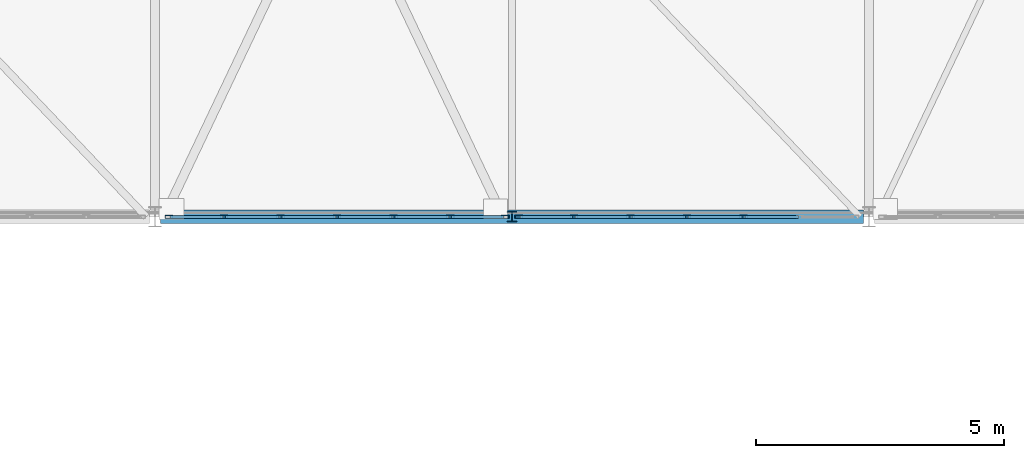
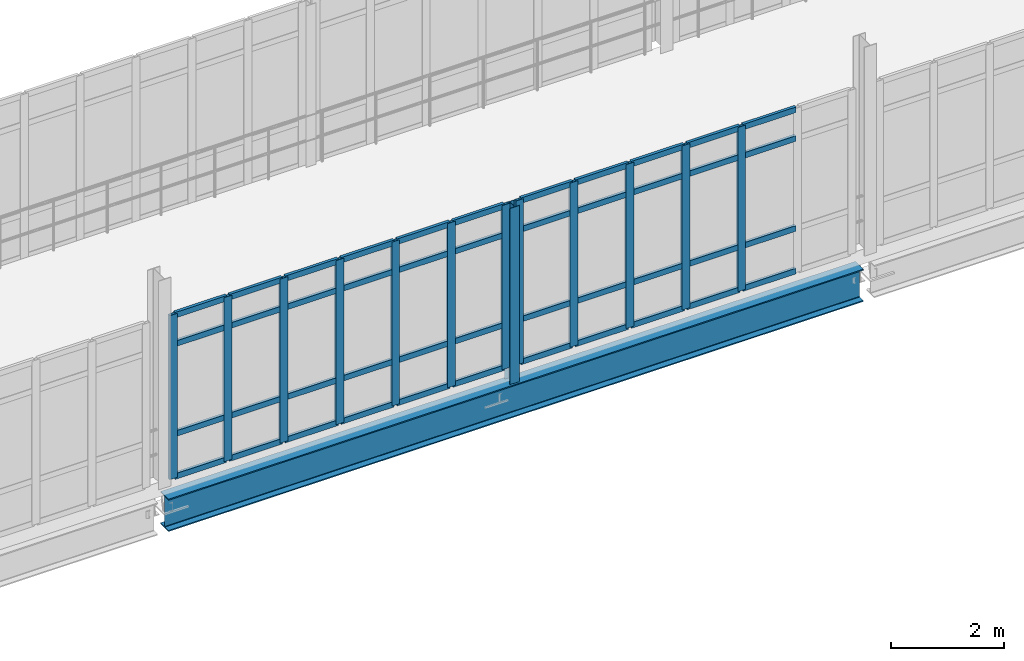
# One storey, part 22 of 116: 57 members, 1 beam, 2 elements without a shape of their own.
"""IFC4 building model written with IfcOpenShell, lengths in metres."""

import ifcopenshell
import ifcopenshell.guid

model = None  # the IFC model being written
_history = None  # IfcOwnerHistory: only IFC2X3 demands one
_inside = {}  # id of a spatial element -> (the spatial element, [elements in it])
_under = {}  # id of a project, library or spatial element -> (it, [spatial elements below it])
_declared = {}  # id of a project -> (the project, [libraries it declares])
_typed = {}  # id of a type object -> (the type object, [elements of that type])
_made_of = {}  # id of a material, layer set ... -> (it, [elements and type objects made of it])


def new_model(schema):
    """Start an empty IFC model of exactly this schema.

    Asked for "IFC4X3", IfcOpenShell would pick the latest addendum, in which some entities
    have other attributes; the version numbers below select the first issue.
    IFC2X3 requires an IfcOwnerHistory on every rooted entity: one is made here for all.
    """
    global model, _history
    if schema == "IFC4X3":
        model = ifcopenshell.file(schema_version=(4, 3, 0, 0))
    else:
        model = ifcopenshell.file(schema=schema)
    _inside.clear()
    _under.clear()
    _declared.clear()
    _typed.clear()
    _made_of.clear()
    _history = None
    if model.schema == "IFC2X3":
        org = make("IfcOrganization", Name="unknown")
        user = make(
            "IfcPersonAndOrganization",
            ThePerson=make("IfcPerson", FamilyName="unknown"),
            TheOrganization=org,
        )
        app = make(
            "IfcApplication",
            ApplicationDeveloper=org,
            Version="unknown",
            ApplicationFullName="unknown",
            ApplicationIdentifier="unknown",
        )
        _history = make(
            "IfcOwnerHistory",
            OwningUser=user,
            OwningApplication=app,
            ChangeAction="ADDED",
            CreationDate=0,
        )
    return model


def make(cls, **values):
    """One entity of the class cls with the attributes given. An attribute that is None is left unset."""
    return model.create_entity(
        cls, **{name: value for name, value in values.items() if value is not None}
    )


def rooted(cls, **values):
    """An entity with a GlobalId (a new one), such as an element, a storey or a relation."""
    return make(cls, GlobalId=ifcopenshell.guid.new(), OwnerHistory=_history, **values)


def si_unit(unit_type, name, prefix=None):
    """IfcSIUnit, for example si_unit("LENGTHUNIT", "METRE", prefix="MILLI")."""
    return make("IfcSIUnit", UnitType=unit_type, Prefix=prefix, Name=name)


def assignment(units):
    """IfcUnitAssignment: the units of a project."""
    return None if units is None else make("IfcUnitAssignment", Units=units)


def point(xyz):
    """IfcCartesianPoint."""
    return None if xyz is None else make("IfcCartesianPoint", Coordinates=xyz)


def direction(xyz):
    """IfcDirection."""
    return None if xyz is None else make("IfcDirection", DirectionRatios=xyz)


def frame(location, z_axis=None, x_axis=None):
    """IfcAxis2Placement3D, a coordinate frame: its origin and axes. An axis left out is left unset."""
    return make(
        "IfcAxis2Placement3D",
        Location=point(location),
        Axis=direction(z_axis),
        RefDirection=direction(x_axis),
    )


def frame_2d(location, x_axis=None):
    """IfcAxis2Placement2D, a coordinate frame in the plane: its origin and x axis."""
    return make(
        "IfcAxis2Placement2D", Location=point(location), RefDirection=direction(x_axis)
    )


def origin():
    """The frame at (0, 0, 0) with its axes left unset."""
    return frame((0.0, 0.0, 0.0))


def origin_2d():
    """The frame at (0, 0) in the plane with its x axis left unset."""
    return frame_2d((0.0, 0.0))


def place(relative_to, where):
    """IfcLocalPlacement: puts the frame where relative to a parent placement (None: the world)."""
    return make(
        "IfcLocalPlacement", PlacementRelTo=relative_to, RelativePlacement=where
    )


def context(
    kind, dimensions, precision=None, world=None, true_north=None, identifier=None
):
    """IfcGeometricRepresentationContext, for example the 3D "Model" context."""
    return make(
        "IfcGeometricRepresentationContext",
        ContextIdentifier=identifier,
        ContextType=kind,
        CoordinateSpaceDimension=dimensions,
        Precision=precision,
        WorldCoordinateSystem=world,
        TrueNorth=true_north,
    )


def subcontext(parent, identifier, kind, view, scale=None):
    """IfcGeometricRepresentationSubContext, for example "Body" below "Model"."""
    return make(
        "IfcGeometricRepresentationSubContext",
        ContextIdentifier=identifier,
        ContextType=kind,
        ParentContext=parent,
        TargetScale=scale,
        TargetView=view,
    )


def project(units=None, contexts=None):
    """IfcProject with its units and contexts."""
    return rooted(
        "IfcProject",
        Name="project",
        RepresentationContexts=contexts,
        UnitsInContext=assignment(units),
    )


def spatial(cls, under=None, at=None, **own):
    """A site, building, storey or space (cls), placed at a placement, below another one or the project."""
    s = rooted(cls, ObjectPlacement=at, **own)
    if under is not None:
        _under.setdefault(under.id(), (under, []))[1].append(s)
    return s


def profile(cls, at=None, kind="AREA", **sizes):
    """A parametric profile (cls). Its sizes go by their IFC names, for example OverallWidth=200.0."""
    return make(cls, ProfileType=kind, Position=at, **sizes)


def hollow_rectangle(**sizes):
    """IfcRectangleHollowProfileDef."""
    return profile("IfcRectangleHollowProfileDef", **sizes)


def i_section(**sizes):
    """IfcIShapeProfileDef."""
    return profile("IfcIShapeProfileDef", **sizes)


def extrude(swept, where, along, depth):
    """IfcExtrudedAreaSolid: the profile swept, set in the frame where, extruded along a direction by depth."""
    return make(
        "IfcExtrudedAreaSolid",
        SweptArea=swept,
        Position=where,
        ExtrudedDirection=direction(along),
        Depth=depth,
    )


def shape(context_of_items, identifier, shape_type, items):
    """IfcShapeRepresentation: the items that make up one representation, for example the "Body"."""
    return make(
        "IfcShapeRepresentation",
        ContextOfItems=context_of_items,
        RepresentationIdentifier=identifier,
        RepresentationType=shape_type,
        Items=items,
    )


def material(Name=None, Category=None):
    """IfcMaterial."""
    return make("IfcMaterial", Name=Name, Category=Category)


def material_profile(
    of_material, cross_section, Name=None, Category=None, Priority=None
):
    """IfcMaterialProfile: a cross section and its material."""
    return make(
        "IfcMaterialProfile",
        Name=Name,
        Material=of_material,
        Profile=cross_section,
        Priority=Priority,
        Category=Category,
    )


def profile_set(profiles, Name=None, composite=None):
    """IfcMaterialProfileSet."""
    return make(
        "IfcMaterialProfileSet",
        Name=Name,
        MaterialProfiles=profiles,
        CompositeProfile=composite,
    )


def made_of(thing, what):
    """Note that an element or type object is made of a material, layer set ...; save() writes the relation."""
    if what is not None:
        _made_of.setdefault(what.id(), (what, []))[1].append(thing)
    return thing


def type_object(cls, material=None, **own):
    """A type object (cls), such as IfcWallType, which elements share."""
    return made_of(rooted(cls, **own), material)


def element(
    cls,
    number,
    at=None,
    inside=None,
    cuts=None,
    type_object=None,
    material=None,
    context=None,
    identifier="Body",
    shape_type=None,
    held_by="IfcProductDefinitionShape",
    body=None,
    shapes=None,
    **own,
):
    """One element of the class cls, such as IfcWall. Its Tag is "e" and its number.

    at: its placement. inside: the storey or other place that contains it. cuts: it is an
    opening in that element (IfcRelVoidsElement). A single representation is given by context,
    identifier, shape_type and body (its items); several are given by shapes. held_by: the class
    of the entity that holds the representations. save() writes the other relations.
    """
    e = rooted(cls, Tag="e%d" % number, ObjectPlacement=at, **own)
    if body is not None:
        shapes = [shape(context, identifier, shape_type, body)]
    if shapes is not None:
        e.Representation = make(held_by, Representations=shapes)
    if inside is not None:
        _inside.setdefault(inside.id(), (inside, []))[1].append(e)
    if cuts is not None:
        rooted(
            "IfcRelVoidsElement", RelatingBuildingElement=cuts, RelatedOpeningElement=e
        )
    if type_object is not None:
        _typed.setdefault(type_object.id(), (type_object, []))[1].append(e)
    return made_of(e, material)


def aggregate(whole, parts):
    """IfcRelAggregates: a whole, such as a stair, and the parts it consists of."""
    return rooted("IfcRelAggregates", RelatingObject=whole, RelatedObjects=parts)


def save(model, path):
    """Write the relations noted so far, then the file.

    IfcRelAggregates (storeys below a building ...), IfcRelContainedInSpatialStructure (elements
    in a storey), IfcRelDefinesByType, IfcRelAssociatesMaterial and IfcRelDeclares: one each for
    every whole, place, type object, material and project.
    """
    for whole, parts in _under.values():
        aggregate(whole, parts)
    for where, things in _inside.values():
        rooted(
            "IfcRelContainedInSpatialStructure",
            RelatedElements=things,
            RelatingStructure=where,
        )
    for kind, things in _typed.values():
        rooted("IfcRelDefinesByType", RelatedObjects=things, RelatingType=kind)
    for what, things in _made_of.values():
        rooted("IfcRelAssociatesMaterial", RelatedObjects=things, RelatingMaterial=what)
    for by, libraries in _declared.values():
        rooted("IfcRelDeclares", RelatingContext=by, RelatedDefinitions=libraries)
    model.write(path)


model = new_model("IFC4")

# Units and contexts
model_context = context("Model", 3, precision=1e-05, world=origin(), true_north=direction((0.0, 1.0)))
body_context = subcontext(model_context, "Body", "Model", "MODEL_VIEW")
ifc_project = project(units=[si_unit("LENGTHUNIT", "METRE"), si_unit("AREAUNIT", "SQUARE_METRE"), si_unit("VOLUMEUNIT", "CUBIC_METRE"), si_unit("PLANEANGLEUNIT", "RADIAN"), si_unit("MASSUNIT", "GRAM", prefix="KILO")], contexts=[model_context])

# Site, building, storey
site_placement = place(None, origin())
site = spatial("IfcSite", under=ifc_project, at=site_placement, CompositionType="ELEMENT")
building_placement = place(site_placement, origin())
building = spatial("IfcBuilding", under=site, at=building_placement, Name="Kalluvel Institute of Natural Sciences", CompositionType="ELEMENT")
storey_placement = place(building_placement, frame((0.0, 0.0, 14.39990234375)))
storey = spatial("IfcBuildingStorey", under=building, at=storey_placement, Name="L03", CompositionType="ELEMENT", Elevation=14.39990234375)

# Beam
ifc_material_1 = material(Name="Steel E350 Grade 350", Category="steel")
ifc_material_profile_1 = material_profile(ifc_material_1, i_section(OverallWidth=0.280029296875, OverallDepth=0.699951171875, WebThickness=0.013916015625, FlangeThickness=0.02392578125, FilletRadius=0.01611328125, at=origin_2d()), Name="WPG 700x280")
ifc_profile_set_1 = profile_set([ifc_material_profile_1], Name="Steel E350 Grade 350")
beam_type = type_object("IfcBeamType", Name="BM-WPG700", PredefinedType="BEAM", material=ifc_profile_set_1)
beam_placement = place(storey_placement, frame((64.510009765625, 28.39990234375, -0.669921875), z_axis=(1.0, 0.0, 0.0), x_axis=(0.0, 1.0, 0.0)))
element("IfcBeam", 1, at=beam_placement, inside=storey, type_object=beam_type, Name="L03 link bridge main plate-girder chord 8", PredefinedType="BEAM", context=body_context, shape_type="SweptSolid", body=[
    extrude(i_section(OverallWidth=0.280029296875, OverallDepth=0.699951171875, WebThickness=0.013916015625, FlangeThickness=0.02392578125, FilletRadius=0.01611328125, at=origin_2d()), origin(), (0.0, 0.0, 1.0), 14.179931640625),
])

# Curtain wall, members
ifc_material_2 = material(Name="Aluminium AW-6063 T6", Category="aluminium")
curtain_wall_type = type_object("IfcCurtainWallType", Name="CW-BRG-45", PredefinedType="USERDEFINED", material=ifc_material_2)
curtain_wall_1_placement = place(storey_placement, origin())
curtain_wall_1 = element("IfcCurtainWall", 2, at=curtain_wall_1_placement, inside=storey, type_object=curtain_wall_type, Name="L03 Gothic lancet curtain wall CWA-L03-X646-Y284", ObjectType="UNITISED LANCET FACADE", PredefinedType="USERDEFINED")
ifc_material_profile_2 = material_profile(ifc_material_2, hollow_rectangle(XDim=0.06005859375, YDim=0.159912109375, WallThickness=0.00390625, at=origin_2d()), Name="CWM 60x160")
ifc_profile_set_2 = profile_set([ifc_material_profile_2], Name="Aluminium AW-6063 T6")
member_type_1 = type_object("IfcMemberType", Name="CWM-60x160", PredefinedType="MULLION", material=ifc_profile_set_2)
member_1_placement = place(storey_placement, frame((64.679931640625, 28.39990234375, 0.0), z_axis=(0.0, 0.0, 1.0), x_axis=(0.0, 1.0, 0.0)))
member_1 = element("IfcMember", 3, at=member_1_placement, type_object=member_type_1, Name="CW-07 mullion 1", PredefinedType="MULLION", context=body_context, shape_type="SweptSolid", body=[
    extrude(hollow_rectangle(XDim=0.06005859375, YDim=0.159912109375, WallThickness=0.00390625, at=origin_2d()), origin(), (0.0, 0.0, 1.0), 3.5400390625),
])
member_2_placement = place(storey_placement, frame((65.7900390625, 28.39990234375, 0.0), z_axis=(0.0, 0.0, 1.0), x_axis=(0.0, 1.0, 0.0)))
member_2 = element("IfcMember", 4, at=member_2_placement, type_object=member_type_1, Name="CW-07 mullion 2", PredefinedType="MULLION", context=body_context, shape_type="SweptSolid", body=[
    extrude(hollow_rectangle(XDim=0.06005859375, YDim=0.159912109375, WallThickness=0.00390625, at=origin_2d()), origin(), (0.0, 0.0, 1.0), 3.5400390625),
])
member_3_placement = place(storey_placement, frame((66.929931640625, 28.39990234375, 0.0), z_axis=(0.0, 0.0, 1.0), x_axis=(0.0, 1.0, 0.0)))
member_3 = element("IfcMember", 5, at=member_3_placement, type_object=member_type_1, Name="CW-07 mullion 3", PredefinedType="MULLION", context=body_context, shape_type="SweptSolid", body=[
    extrude(hollow_rectangle(XDim=0.06005859375, YDim=0.159912109375, WallThickness=0.00390625, at=origin_2d()), origin(), (0.0, 0.0, 1.0), 3.5400390625),
])
member_4_placement = place(storey_placement, frame((68.070068359375, 28.39990234375, 0.0), z_axis=(0.0, 0.0, 1.0), x_axis=(0.0, 1.0, 0.0)))
member_4 = element("IfcMember", 6, at=member_4_placement, type_object=member_type_1, Name="CW-07 mullion 4", PredefinedType="MULLION", context=body_context, shape_type="SweptSolid", body=[
    extrude(hollow_rectangle(XDim=0.06005859375, YDim=0.159912109375, WallThickness=0.00390625, at=origin_2d()), origin(), (0.0, 0.0, 1.0), 3.5400390625),
])
member_5_placement = place(storey_placement, frame((69.2099609375, 28.39990234375, 0.0), z_axis=(0.0, 0.0, 1.0), x_axis=(0.0, 1.0, 0.0)))
member_5 = element("IfcMember", 7, at=member_5_placement, type_object=member_type_1, Name="CW-07 mullion 5", PredefinedType="MULLION", context=body_context, shape_type="SweptSolid", body=[
    extrude(hollow_rectangle(XDim=0.06005859375, YDim=0.159912109375, WallThickness=0.00390625, at=origin_2d()), origin(), (0.0, 0.0, 1.0), 3.5400390625),
])
member_6_placement = place(storey_placement, frame((70.35009765625, 28.39990234375, 0.0), z_axis=(0.0, 0.0, 1.0), x_axis=(0.0, 1.0, 0.0)))
member_6 = element("IfcMember", 8, at=member_6_placement, type_object=member_type_1, Name="CW-07 mullion 6", PredefinedType="MULLION", context=body_context, shape_type="SweptSolid", body=[
    extrude(hollow_rectangle(XDim=0.06005859375, YDim=0.159912109375, WallThickness=0.00390625, at=origin_2d()), origin(), (0.0, 0.0, 1.0), 3.5400390625),
])
member_7_placement = place(storey_placement, frame((71.4599609375, 28.39990234375, 0.0), z_axis=(0.0, 0.0, 1.0), x_axis=(0.0, 1.0, 0.0)))
member_7 = element("IfcMember", 9, at=member_7_placement, type_object=member_type_1, Name="CW-07 mullion 7", PredefinedType="MULLION", context=body_context, shape_type="SweptSolid", body=[
    extrude(hollow_rectangle(XDim=0.06005859375, YDim=0.159912109375, WallThickness=0.00390625, at=origin_2d()), origin(), (0.0, 0.0, 1.0), 3.5400390625),
])

curtain_wall_2_placement = place(storey_placement, origin())
curtain_wall_2 = element("IfcCurtainWall", 10, at=curtain_wall_2_placement, inside=storey, type_object=curtain_wall_type, Name="L03 Gothic lancet curtain wall CWA-L03-X717-Y284", ObjectType="UNITISED LANCET FACADE", PredefinedType="USERDEFINED")
member_8_placement = place(storey_placement, frame((71.739990234375, 28.39990234375, 0.0), z_axis=(0.0, 0.0, 1.0), x_axis=(0.0, 1.0, 0.0)))
member_8 = element("IfcMember", 11, at=member_8_placement, type_object=member_type_1, Name="CW-07 mullion 1", PredefinedType="MULLION", context=body_context, shape_type="SweptSolid", body=[
    extrude(hollow_rectangle(XDim=0.06005859375, YDim=0.159912109375, WallThickness=0.00390625, at=origin_2d()), origin(), (0.0, 0.0, 1.0), 3.5400390625),
])
member_9_placement = place(storey_placement, frame((72.85009765625, 28.39990234375, 0.0), z_axis=(0.0, 0.0, 1.0), x_axis=(0.0, 1.0, 0.0)))
member_9 = element("IfcMember", 12, at=member_9_placement, type_object=member_type_1, Name="CW-07 mullion 2", PredefinedType="MULLION", context=body_context, shape_type="SweptSolid", body=[
    extrude(hollow_rectangle(XDim=0.06005859375, YDim=0.159912109375, WallThickness=0.00390625, at=origin_2d()), origin(), (0.0, 0.0, 1.0), 3.5400390625),
])
member_10_placement = place(storey_placement, frame((73.989990234375, 28.39990234375, 0.0), z_axis=(0.0, 0.0, 1.0), x_axis=(0.0, 1.0, 0.0)))
member_10 = element("IfcMember", 13, at=member_10_placement, type_object=member_type_1, Name="CW-07 mullion 3", PredefinedType="MULLION", context=body_context, shape_type="SweptSolid", body=[
    extrude(hollow_rectangle(XDim=0.06005859375, YDim=0.159912109375, WallThickness=0.00390625, at=origin_2d()), origin(), (0.0, 0.0, 1.0), 3.5400390625),
])
member_11_placement = place(storey_placement, frame((75.1298828125, 28.39990234375, 0.0), z_axis=(0.0, 0.0, 1.0), x_axis=(0.0, 1.0, 0.0)))
member_11 = element("IfcMember", 14, at=member_11_placement, type_object=member_type_1, Name="CW-07 mullion 4", PredefinedType="MULLION", context=body_context, shape_type="SweptSolid", body=[
    extrude(hollow_rectangle(XDim=0.06005859375, YDim=0.159912109375, WallThickness=0.00390625, at=origin_2d()), origin(), (0.0, 0.0, 1.0), 3.5400390625),
])
member_12_placement = place(storey_placement, frame((76.27001953125, 28.39990234375, 0.0), z_axis=(0.0, 0.0, 1.0), x_axis=(0.0, 1.0, 0.0)))
member_12 = element("IfcMember", 15, at=member_12_placement, type_object=member_type_1, Name="CW-07 mullion 5", PredefinedType="MULLION", context=body_context, shape_type="SweptSolid", body=[
    extrude(hollow_rectangle(XDim=0.06005859375, YDim=0.159912109375, WallThickness=0.00390625, at=origin_2d()), origin(), (0.0, 0.0, 1.0), 3.5400390625),
])

# Member
ifc_material_profile_3 = material_profile(ifc_material_2, hollow_rectangle(XDim=0.06005859375, YDim=0.1201171875, WallThickness=0.00390625, at=origin_2d()), Name="CWT 60x120")
ifc_profile_set_3 = profile_set([ifc_material_profile_3], Name="Aluminium AW-6063 T6")
member_type_2 = type_object("IfcMemberType", Name="CWT-60x120", PredefinedType="USERDEFINED", material=ifc_profile_set_3)
member_13_placement = place(storey_placement, frame((64.7099609375, 28.39990234375, 0.030029296875), z_axis=(1.0, 0.0, 0.0), x_axis=(0.0, 1.0, 0.0)))
member_13 = element("IfcMember", 16, at=member_13_placement, type_object=member_type_2, Name="CW-07 transom 1.1", ObjectType="TRANSOM", PredefinedType="USERDEFINED", context=body_context, shape_type="SweptSolid", body=[
    extrude(hollow_rectangle(XDim=0.06005859375, YDim=0.1201171875, WallThickness=0.00390625, at=origin_2d()), origin(), (0.0, 0.0, 1.0), 1.050048828125),
])

member_14_placement = place(storey_placement, frame((64.7099609375, 28.39990234375, 0.9501953125), z_axis=(1.0, 0.0, 0.0), x_axis=(0.0, 1.0, 0.0)))
member_14 = element("IfcMember", 17, at=member_14_placement, type_object=member_type_2, Name="CW-07 transom 1.2", ObjectType="TRANSOM", PredefinedType="USERDEFINED", context=body_context, shape_type="SweptSolid", body=[
    extrude(hollow_rectangle(XDim=0.06005859375, YDim=0.1201171875, WallThickness=0.00390625, at=origin_2d()), origin(), (0.0, 0.0, 1.0), 1.050048828125),
])

member_15_placement = place(storey_placement, frame((64.7099609375, 28.39990234375, 2.89013671875), z_axis=(1.0, 0.0, 0.0), x_axis=(0.0, 1.0, 0.0)))
member_15 = element("IfcMember", 18, at=member_15_placement, type_object=member_type_2, Name="CW-07 transom 1.3", ObjectType="TRANSOM", PredefinedType="USERDEFINED", context=body_context, shape_type="SweptSolid", body=[
    extrude(hollow_rectangle(XDim=0.06005859375, YDim=0.1201171875, WallThickness=0.00390625, at=origin_2d()), origin(), (0.0, 0.0, 1.0), 1.050048828125),
])

member_16_placement = place(storey_placement, frame((64.7099609375, 28.39990234375, 3.510009765625), z_axis=(1.0, 0.0, 0.0), x_axis=(0.0, 1.0, 0.0)))
member_16 = element("IfcMember", 19, at=member_16_placement, type_object=member_type_2, Name="CW-07 transom 1.4", ObjectType="TRANSOM", PredefinedType="USERDEFINED", context=body_context, shape_type="SweptSolid", body=[
    extrude(hollow_rectangle(XDim=0.06005859375, YDim=0.1201171875, WallThickness=0.00390625, at=origin_2d()), origin(), (0.0, 0.0, 1.0), 1.050048828125),
])

member_17_placement = place(storey_placement, frame((65.820068359375, 28.39990234375, 0.030029296875), z_axis=(1.0, 0.0, 0.0), x_axis=(0.0, 1.0, 0.0)))
member_17 = element("IfcMember", 20, at=member_17_placement, type_object=member_type_2, Name="CW-07 transom 2.1", ObjectType="TRANSOM", PredefinedType="USERDEFINED", context=body_context, shape_type="SweptSolid", body=[
    extrude(hollow_rectangle(XDim=0.06005859375, YDim=0.1201171875, WallThickness=0.00390625, at=origin_2d()), origin(), (0.0, 0.0, 1.0), 1.079833984375),
])

member_18_placement = place(storey_placement, frame((65.820068359375, 28.39990234375, 0.9501953125), z_axis=(1.0, 0.0, 0.0), x_axis=(0.0, 1.0, 0.0)))
member_18 = element("IfcMember", 21, at=member_18_placement, type_object=member_type_2, Name="CW-07 transom 2.2", ObjectType="TRANSOM", PredefinedType="USERDEFINED", context=body_context, shape_type="SweptSolid", body=[
    extrude(hollow_rectangle(XDim=0.06005859375, YDim=0.1201171875, WallThickness=0.00390625, at=origin_2d()), origin(), (0.0, 0.0, 1.0), 1.079833984375),
])

member_19_placement = place(storey_placement, frame((65.820068359375, 28.39990234375, 2.89013671875), z_axis=(1.0, 0.0, 0.0), x_axis=(0.0, 1.0, 0.0)))
member_19 = element("IfcMember", 22, at=member_19_placement, type_object=member_type_2, Name="CW-07 transom 2.3", ObjectType="TRANSOM", PredefinedType="USERDEFINED", context=body_context, shape_type="SweptSolid", body=[
    extrude(hollow_rectangle(XDim=0.06005859375, YDim=0.1201171875, WallThickness=0.00390625, at=origin_2d()), origin(), (0.0, 0.0, 1.0), 1.079833984375),
])

member_20_placement = place(storey_placement, frame((65.820068359375, 28.39990234375, 3.510009765625), z_axis=(1.0, 0.0, 0.0), x_axis=(0.0, 1.0, 0.0)))
member_20 = element("IfcMember", 23, at=member_20_placement, type_object=member_type_2, Name="CW-07 transom 2.4", ObjectType="TRANSOM", PredefinedType="USERDEFINED", context=body_context, shape_type="SweptSolid", body=[
    extrude(hollow_rectangle(XDim=0.06005859375, YDim=0.1201171875, WallThickness=0.00390625, at=origin_2d()), origin(), (0.0, 0.0, 1.0), 1.079833984375),
])

member_21_placement = place(storey_placement, frame((66.9599609375, 28.39990234375, 0.030029296875), z_axis=(1.0, 0.0, 0.0), x_axis=(0.0, 1.0, 0.0)))
member_21 = element("IfcMember", 24, at=member_21_placement, type_object=member_type_2, Name="CW-07 transom 3.1", ObjectType="TRANSOM", PredefinedType="USERDEFINED", context=body_context, shape_type="SweptSolid", body=[
    extrude(hollow_rectangle(XDim=0.06005859375, YDim=0.1201171875, WallThickness=0.00390625, at=origin_2d()), origin(), (0.0, 0.0, 1.0), 1.080078125),
])

member_22_placement = place(storey_placement, frame((66.9599609375, 28.39990234375, 0.9501953125), z_axis=(1.0, 0.0, 0.0), x_axis=(0.0, 1.0, 0.0)))
member_22 = element("IfcMember", 25, at=member_22_placement, type_object=member_type_2, Name="CW-07 transom 3.2", ObjectType="TRANSOM", PredefinedType="USERDEFINED", context=body_context, shape_type="SweptSolid", body=[
    extrude(hollow_rectangle(XDim=0.06005859375, YDim=0.1201171875, WallThickness=0.00390625, at=origin_2d()), origin(), (0.0, 0.0, 1.0), 1.080078125),
])

member_23_placement = place(storey_placement, frame((66.9599609375, 28.39990234375, 2.89013671875), z_axis=(1.0, 0.0, 0.0), x_axis=(0.0, 1.0, 0.0)))
member_23 = element("IfcMember", 26, at=member_23_placement, type_object=member_type_2, Name="CW-07 transom 3.3", ObjectType="TRANSOM", PredefinedType="USERDEFINED", context=body_context, shape_type="SweptSolid", body=[
    extrude(hollow_rectangle(XDim=0.06005859375, YDim=0.1201171875, WallThickness=0.00390625, at=origin_2d()), origin(), (0.0, 0.0, 1.0), 1.080078125),
])

member_24_placement = place(storey_placement, frame((66.9599609375, 28.39990234375, 3.510009765625), z_axis=(1.0, 0.0, 0.0), x_axis=(0.0, 1.0, 0.0)))
member_24 = element("IfcMember", 27, at=member_24_placement, type_object=member_type_2, Name="CW-07 transom 3.4", ObjectType="TRANSOM", PredefinedType="USERDEFINED", context=body_context, shape_type="SweptSolid", body=[
    extrude(hollow_rectangle(XDim=0.06005859375, YDim=0.1201171875, WallThickness=0.00390625, at=origin_2d()), origin(), (0.0, 0.0, 1.0), 1.080078125),
])

member_25_placement = place(storey_placement, frame((68.10009765625, 28.39990234375, 0.030029296875), z_axis=(1.0, 0.0, 0.0), x_axis=(0.0, 1.0, 0.0)))
member_25 = element("IfcMember", 28, at=member_25_placement, type_object=member_type_2, Name="CW-07 transom 4.1", ObjectType="TRANSOM", PredefinedType="USERDEFINED", context=body_context, shape_type="SweptSolid", body=[
    extrude(hollow_rectangle(XDim=0.06005859375, YDim=0.1201171875, WallThickness=0.00390625, at=origin_2d()), origin(), (0.0, 0.0, 1.0), 1.079833984375),
])

member_26_placement = place(storey_placement, frame((68.10009765625, 28.39990234375, 0.9501953125), z_axis=(1.0, 0.0, 0.0), x_axis=(0.0, 1.0, 0.0)))
member_26 = element("IfcMember", 29, at=member_26_placement, type_object=member_type_2, Name="CW-07 transom 4.2", ObjectType="TRANSOM", PredefinedType="USERDEFINED", context=body_context, shape_type="SweptSolid", body=[
    extrude(hollow_rectangle(XDim=0.06005859375, YDim=0.1201171875, WallThickness=0.00390625, at=origin_2d()), origin(), (0.0, 0.0, 1.0), 1.079833984375),
])

member_27_placement = place(storey_placement, frame((68.10009765625, 28.39990234375, 2.89013671875), z_axis=(1.0, 0.0, 0.0), x_axis=(0.0, 1.0, 0.0)))
member_27 = element("IfcMember", 30, at=member_27_placement, type_object=member_type_2, Name="CW-07 transom 4.3", ObjectType="TRANSOM", PredefinedType="USERDEFINED", context=body_context, shape_type="SweptSolid", body=[
    extrude(hollow_rectangle(XDim=0.06005859375, YDim=0.1201171875, WallThickness=0.00390625, at=origin_2d()), origin(), (0.0, 0.0, 1.0), 1.079833984375),
])

member_28_placement = place(storey_placement, frame((68.10009765625, 28.39990234375, 3.510009765625), z_axis=(1.0, 0.0, 0.0), x_axis=(0.0, 1.0, 0.0)))
member_28 = element("IfcMember", 31, at=member_28_placement, type_object=member_type_2, Name="CW-07 transom 4.4", ObjectType="TRANSOM", PredefinedType="USERDEFINED", context=body_context, shape_type="SweptSolid", body=[
    extrude(hollow_rectangle(XDim=0.06005859375, YDim=0.1201171875, WallThickness=0.00390625, at=origin_2d()), origin(), (0.0, 0.0, 1.0), 1.079833984375),
])

member_29_placement = place(storey_placement, frame((69.239990234375, 28.39990234375, 0.030029296875), z_axis=(1.0, 0.0, 0.0), x_axis=(0.0, 1.0, 0.0)))
member_29 = element("IfcMember", 32, at=member_29_placement, type_object=member_type_2, Name="CW-07 transom 5.1", ObjectType="TRANSOM", PredefinedType="USERDEFINED", context=body_context, shape_type="SweptSolid", body=[
    extrude(hollow_rectangle(XDim=0.06005859375, YDim=0.1201171875, WallThickness=0.00390625, at=origin_2d()), origin(), (0.0, 0.0, 1.0), 1.080078125),
])

member_30_placement = place(storey_placement, frame((69.239990234375, 28.39990234375, 0.9501953125), z_axis=(1.0, 0.0, 0.0), x_axis=(0.0, 1.0, 0.0)))
member_30 = element("IfcMember", 33, at=member_30_placement, type_object=member_type_2, Name="CW-07 transom 5.2", ObjectType="TRANSOM", PredefinedType="USERDEFINED", context=body_context, shape_type="SweptSolid", body=[
    extrude(hollow_rectangle(XDim=0.06005859375, YDim=0.1201171875, WallThickness=0.00390625, at=origin_2d()), origin(), (0.0, 0.0, 1.0), 1.080078125),
])

member_31_placement = place(storey_placement, frame((69.239990234375, 28.39990234375, 2.89013671875), z_axis=(1.0, 0.0, 0.0), x_axis=(0.0, 1.0, 0.0)))
member_31 = element("IfcMember", 34, at=member_31_placement, type_object=member_type_2, Name="CW-07 transom 5.3", ObjectType="TRANSOM", PredefinedType="USERDEFINED", context=body_context, shape_type="SweptSolid", body=[
    extrude(hollow_rectangle(XDim=0.06005859375, YDim=0.1201171875, WallThickness=0.00390625, at=origin_2d()), origin(), (0.0, 0.0, 1.0), 1.080078125),
])

member_32_placement = place(storey_placement, frame((69.239990234375, 28.39990234375, 3.510009765625), z_axis=(1.0, 0.0, 0.0), x_axis=(0.0, 1.0, 0.0)))
member_32 = element("IfcMember", 35, at=member_32_placement, type_object=member_type_2, Name="CW-07 transom 5.4", ObjectType="TRANSOM", PredefinedType="USERDEFINED", context=body_context, shape_type="SweptSolid", body=[
    extrude(hollow_rectangle(XDim=0.06005859375, YDim=0.1201171875, WallThickness=0.00390625, at=origin_2d()), origin(), (0.0, 0.0, 1.0), 1.080078125),
])

member_33_placement = place(storey_placement, frame((70.3798828125, 28.39990234375, 0.030029296875), z_axis=(1.0, 0.0, 0.0), x_axis=(0.0, 1.0, 0.0)))
member_33 = element("IfcMember", 36, at=member_33_placement, type_object=member_type_2, Name="CW-07 transom 6.1", ObjectType="TRANSOM", PredefinedType="USERDEFINED", context=body_context, shape_type="SweptSolid", body=[
    extrude(hollow_rectangle(XDim=0.06005859375, YDim=0.1201171875, WallThickness=0.00390625, at=origin_2d()), origin(), (0.0, 0.0, 1.0), 1.050048828125),
])

member_34_placement = place(storey_placement, frame((70.3798828125, 28.39990234375, 0.9501953125), z_axis=(1.0, 0.0, 0.0), x_axis=(0.0, 1.0, 0.0)))
member_34 = element("IfcMember", 37, at=member_34_placement, type_object=member_type_2, Name="CW-07 transom 6.2", ObjectType="TRANSOM", PredefinedType="USERDEFINED", context=body_context, shape_type="SweptSolid", body=[
    extrude(hollow_rectangle(XDim=0.06005859375, YDim=0.1201171875, WallThickness=0.00390625, at=origin_2d()), origin(), (0.0, 0.0, 1.0), 1.050048828125),
])

member_35_placement = place(storey_placement, frame((70.3798828125, 28.39990234375, 2.89013671875), z_axis=(1.0, 0.0, 0.0), x_axis=(0.0, 1.0, 0.0)))
member_35 = element("IfcMember", 38, at=member_35_placement, type_object=member_type_2, Name="CW-07 transom 6.3", ObjectType="TRANSOM", PredefinedType="USERDEFINED", context=body_context, shape_type="SweptSolid", body=[
    extrude(hollow_rectangle(XDim=0.06005859375, YDim=0.1201171875, WallThickness=0.00390625, at=origin_2d()), origin(), (0.0, 0.0, 1.0), 1.050048828125),
])

member_36_placement = place(storey_placement, frame((70.3798828125, 28.39990234375, 3.510009765625), z_axis=(1.0, 0.0, 0.0), x_axis=(0.0, 1.0, 0.0)))
member_36 = element("IfcMember", 39, at=member_36_placement, type_object=member_type_2, Name="CW-07 transom 6.4", ObjectType="TRANSOM", PredefinedType="USERDEFINED", context=body_context, shape_type="SweptSolid", body=[
    extrude(hollow_rectangle(XDim=0.06005859375, YDim=0.1201171875, WallThickness=0.00390625, at=origin_2d()), origin(), (0.0, 0.0, 1.0), 1.050048828125),
])

aggregate(curtain_wall_1, [member_1, member_2, member_3, member_4, member_5, member_6, member_7, member_13, member_14, member_15, member_16, member_17, member_18, member_19, member_20, member_21, member_22, member_23, member_24, member_25, member_26, member_27, member_28, member_29, member_30, member_31, member_32, member_33, member_34, member_35, member_36])

member_37_placement = place(storey_placement, frame((71.77001953125, 28.39990234375, 0.030029296875), z_axis=(1.0, 0.0, 0.0), x_axis=(0.0, 1.0, 0.0)))
member_37 = element("IfcMember", 40, at=member_37_placement, type_object=member_type_2, Name="CW-07 transom 1.1", ObjectType="TRANSOM", PredefinedType="USERDEFINED", context=body_context, shape_type="SweptSolid", body=[
    extrude(hollow_rectangle(XDim=0.06005859375, YDim=0.1201171875, WallThickness=0.00390625, at=origin_2d()), origin(), (0.0, 0.0, 1.0), 1.050048828125),
])

member_38_placement = place(storey_placement, frame((71.77001953125, 28.39990234375, 0.9501953125), z_axis=(1.0, 0.0, 0.0), x_axis=(0.0, 1.0, 0.0)))
member_38 = element("IfcMember", 41, at=member_38_placement, type_object=member_type_2, Name="CW-07 transom 1.2", ObjectType="TRANSOM", PredefinedType="USERDEFINED", context=body_context, shape_type="SweptSolid", body=[
    extrude(hollow_rectangle(XDim=0.06005859375, YDim=0.1201171875, WallThickness=0.00390625, at=origin_2d()), origin(), (0.0, 0.0, 1.0), 1.050048828125),
])

member_39_placement = place(storey_placement, frame((71.77001953125, 28.39990234375, 2.89013671875), z_axis=(1.0, 0.0, 0.0), x_axis=(0.0, 1.0, 0.0)))
member_39 = element("IfcMember", 42, at=member_39_placement, type_object=member_type_2, Name="CW-07 transom 1.3", ObjectType="TRANSOM", PredefinedType="USERDEFINED", context=body_context, shape_type="SweptSolid", body=[
    extrude(hollow_rectangle(XDim=0.06005859375, YDim=0.1201171875, WallThickness=0.00390625, at=origin_2d()), origin(), (0.0, 0.0, 1.0), 1.050048828125),
])

member_40_placement = place(storey_placement, frame((71.77001953125, 28.39990234375, 3.510009765625), z_axis=(1.0, 0.0, 0.0), x_axis=(0.0, 1.0, 0.0)))
member_40 = element("IfcMember", 43, at=member_40_placement, type_object=member_type_2, Name="CW-07 transom 1.4", ObjectType="TRANSOM", PredefinedType="USERDEFINED", context=body_context, shape_type="SweptSolid", body=[
    extrude(hollow_rectangle(XDim=0.06005859375, YDim=0.1201171875, WallThickness=0.00390625, at=origin_2d()), origin(), (0.0, 0.0, 1.0), 1.050048828125),
])

member_41_placement = place(storey_placement, frame((72.8798828125, 28.39990234375, 0.030029296875), z_axis=(1.0, 0.0, 0.0), x_axis=(0.0, 1.0, 0.0)))
member_41 = element("IfcMember", 44, at=member_41_placement, type_object=member_type_2, Name="CW-07 transom 2.1", ObjectType="TRANSOM", PredefinedType="USERDEFINED", context=body_context, shape_type="SweptSolid", body=[
    extrude(hollow_rectangle(XDim=0.06005859375, YDim=0.1201171875, WallThickness=0.00390625, at=origin_2d()), origin(), (0.0, 0.0, 1.0), 1.080078125),
])

member_42_placement = place(storey_placement, frame((72.8798828125, 28.39990234375, 0.9501953125), z_axis=(1.0, 0.0, 0.0), x_axis=(0.0, 1.0, 0.0)))
member_42 = element("IfcMember", 45, at=member_42_placement, type_object=member_type_2, Name="CW-07 transom 2.2", ObjectType="TRANSOM", PredefinedType="USERDEFINED", context=body_context, shape_type="SweptSolid", body=[
    extrude(hollow_rectangle(XDim=0.06005859375, YDim=0.1201171875, WallThickness=0.00390625, at=origin_2d()), origin(), (0.0, 0.0, 1.0), 1.080078125),
])

member_43_placement = place(storey_placement, frame((72.8798828125, 28.39990234375, 2.89013671875), z_axis=(1.0, 0.0, 0.0), x_axis=(0.0, 1.0, 0.0)))
member_43 = element("IfcMember", 46, at=member_43_placement, type_object=member_type_2, Name="CW-07 transom 2.3", ObjectType="TRANSOM", PredefinedType="USERDEFINED", context=body_context, shape_type="SweptSolid", body=[
    extrude(hollow_rectangle(XDim=0.06005859375, YDim=0.1201171875, WallThickness=0.00390625, at=origin_2d()), origin(), (0.0, 0.0, 1.0), 1.080078125),
])

member_44_placement = place(storey_placement, frame((72.8798828125, 28.39990234375, 3.510009765625), z_axis=(1.0, 0.0, 0.0), x_axis=(0.0, 1.0, 0.0)))
member_44 = element("IfcMember", 47, at=member_44_placement, type_object=member_type_2, Name="CW-07 transom 2.4", ObjectType="TRANSOM", PredefinedType="USERDEFINED", context=body_context, shape_type="SweptSolid", body=[
    extrude(hollow_rectangle(XDim=0.06005859375, YDim=0.1201171875, WallThickness=0.00390625, at=origin_2d()), origin(), (0.0, 0.0, 1.0), 1.080078125),
])

member_45_placement = place(storey_placement, frame((74.02001953125, 28.39990234375, 0.030029296875), z_axis=(1.0, 0.0, 0.0), x_axis=(0.0, 1.0, 0.0)))
member_45 = element("IfcMember", 48, at=member_45_placement, type_object=member_type_2, Name="CW-07 transom 3.1", ObjectType="TRANSOM", PredefinedType="USERDEFINED", context=body_context, shape_type="SweptSolid", body=[
    extrude(hollow_rectangle(XDim=0.06005859375, YDim=0.1201171875, WallThickness=0.00390625, at=origin_2d()), origin(), (0.0, 0.0, 1.0), 1.080078125),
])

member_46_placement = place(storey_placement, frame((74.02001953125, 28.39990234375, 0.9501953125), z_axis=(1.0, 0.0, 0.0), x_axis=(0.0, 1.0, 0.0)))
member_46 = element("IfcMember", 49, at=member_46_placement, type_object=member_type_2, Name="CW-07 transom 3.2", ObjectType="TRANSOM", PredefinedType="USERDEFINED", context=body_context, shape_type="SweptSolid", body=[
    extrude(hollow_rectangle(XDim=0.06005859375, YDim=0.1201171875, WallThickness=0.00390625, at=origin_2d()), origin(), (0.0, 0.0, 1.0), 1.080078125),
])

member_47_placement = place(storey_placement, frame((74.02001953125, 28.39990234375, 2.89013671875), z_axis=(1.0, 0.0, 0.0), x_axis=(0.0, 1.0, 0.0)))
member_47 = element("IfcMember", 50, at=member_47_placement, type_object=member_type_2, Name="CW-07 transom 3.3", ObjectType="TRANSOM", PredefinedType="USERDEFINED", context=body_context, shape_type="SweptSolid", body=[
    extrude(hollow_rectangle(XDim=0.06005859375, YDim=0.1201171875, WallThickness=0.00390625, at=origin_2d()), origin(), (0.0, 0.0, 1.0), 1.080078125),
])

member_48_placement = place(storey_placement, frame((74.02001953125, 28.39990234375, 3.510009765625), z_axis=(1.0, 0.0, 0.0), x_axis=(0.0, 1.0, 0.0)))
member_48 = element("IfcMember", 51, at=member_48_placement, type_object=member_type_2, Name="CW-07 transom 3.4", ObjectType="TRANSOM", PredefinedType="USERDEFINED", context=body_context, shape_type="SweptSolid", body=[
    extrude(hollow_rectangle(XDim=0.06005859375, YDim=0.1201171875, WallThickness=0.00390625, at=origin_2d()), origin(), (0.0, 0.0, 1.0), 1.080078125),
])

member_49_placement = place(storey_placement, frame((75.159912109375, 28.39990234375, 0.030029296875), z_axis=(1.0, 0.0, 0.0), x_axis=(0.0, 1.0, 0.0)))
member_49 = element("IfcMember", 52, at=member_49_placement, type_object=member_type_2, Name="CW-07 transom 4.1", ObjectType="TRANSOM", PredefinedType="USERDEFINED", context=body_context, shape_type="SweptSolid", body=[
    extrude(hollow_rectangle(XDim=0.06005859375, YDim=0.1201171875, WallThickness=0.00390625, at=origin_2d()), origin(), (0.0, 0.0, 1.0), 1.080078125),
])

member_50_placement = place(storey_placement, frame((75.159912109375, 28.39990234375, 0.9501953125), z_axis=(1.0, 0.0, 0.0), x_axis=(0.0, 1.0, 0.0)))
member_50 = element("IfcMember", 53, at=member_50_placement, type_object=member_type_2, Name="CW-07 transom 4.2", ObjectType="TRANSOM", PredefinedType="USERDEFINED", context=body_context, shape_type="SweptSolid", body=[
    extrude(hollow_rectangle(XDim=0.06005859375, YDim=0.1201171875, WallThickness=0.00390625, at=origin_2d()), origin(), (0.0, 0.0, 1.0), 1.080078125),
])

member_51_placement = place(storey_placement, frame((75.159912109375, 28.39990234375, 2.89013671875), z_axis=(1.0, 0.0, 0.0), x_axis=(0.0, 1.0, 0.0)))
member_51 = element("IfcMember", 54, at=member_51_placement, type_object=member_type_2, Name="CW-07 transom 4.3", ObjectType="TRANSOM", PredefinedType="USERDEFINED", context=body_context, shape_type="SweptSolid", body=[
    extrude(hollow_rectangle(XDim=0.06005859375, YDim=0.1201171875, WallThickness=0.00390625, at=origin_2d()), origin(), (0.0, 0.0, 1.0), 1.080078125),
])

member_52_placement = place(storey_placement, frame((75.159912109375, 28.39990234375, 3.510009765625), z_axis=(1.0, 0.0, 0.0), x_axis=(0.0, 1.0, 0.0)))
member_52 = element("IfcMember", 55, at=member_52_placement, type_object=member_type_2, Name="CW-07 transom 4.4", ObjectType="TRANSOM", PredefinedType="USERDEFINED", context=body_context, shape_type="SweptSolid", body=[
    extrude(hollow_rectangle(XDim=0.06005859375, YDim=0.1201171875, WallThickness=0.00390625, at=origin_2d()), origin(), (0.0, 0.0, 1.0), 1.080078125),
])

member_53_placement = place(storey_placement, frame((76.300048828125, 28.39990234375, 0.030029296875), z_axis=(1.0, 0.0, 0.0), x_axis=(0.0, 1.0, 0.0)))
member_53 = element("IfcMember", 56, at=member_53_placement, type_object=member_type_2, Name="CW-07 transom 5.1", ObjectType="TRANSOM", PredefinedType="USERDEFINED", context=body_context, shape_type="SweptSolid", body=[
    extrude(hollow_rectangle(XDim=0.06005859375, YDim=0.1201171875, WallThickness=0.00390625, at=origin_2d()), origin(), (0.0, 0.0, 1.0), 1.079833984375),
])

member_54_placement = place(storey_placement, frame((76.300048828125, 28.39990234375, 0.9501953125), z_axis=(1.0, 0.0, 0.0), x_axis=(0.0, 1.0, 0.0)))
member_54 = element("IfcMember", 57, at=member_54_placement, type_object=member_type_2, Name="CW-07 transom 5.2", ObjectType="TRANSOM", PredefinedType="USERDEFINED", context=body_context, shape_type="SweptSolid", body=[
    extrude(hollow_rectangle(XDim=0.06005859375, YDim=0.1201171875, WallThickness=0.00390625, at=origin_2d()), origin(), (0.0, 0.0, 1.0), 1.079833984375),
])

member_55_placement = place(storey_placement, frame((76.300048828125, 28.39990234375, 2.89013671875), z_axis=(1.0, 0.0, 0.0), x_axis=(0.0, 1.0, 0.0)))
member_55 = element("IfcMember", 58, at=member_55_placement, type_object=member_type_2, Name="CW-07 transom 5.3", ObjectType="TRANSOM", PredefinedType="USERDEFINED", context=body_context, shape_type="SweptSolid", body=[
    extrude(hollow_rectangle(XDim=0.06005859375, YDim=0.1201171875, WallThickness=0.00390625, at=origin_2d()), origin(), (0.0, 0.0, 1.0), 1.079833984375),
])

member_56_placement = place(storey_placement, frame((76.300048828125, 28.39990234375, 3.510009765625), z_axis=(1.0, 0.0, 0.0), x_axis=(0.0, 1.0, 0.0)))
member_56 = element("IfcMember", 59, at=member_56_placement, type_object=member_type_2, Name="CW-07 transom 5.4", ObjectType="TRANSOM", PredefinedType="USERDEFINED", context=body_context, shape_type="SweptSolid", body=[
    extrude(hollow_rectangle(XDim=0.06005859375, YDim=0.1201171875, WallThickness=0.00390625, at=origin_2d()), origin(), (0.0, 0.0, 1.0), 1.079833984375),
])

aggregate(curtain_wall_2, [member_8, member_9, member_10, member_11, member_12, member_37, member_38, member_39, member_40, member_41, member_42, member_43, member_44, member_45, member_46, member_47, member_48, member_49, member_50, member_51, member_52, member_53, member_54, member_55, member_56])

ifc_material_profile_4 = material_profile(ifc_material_1, i_section(OverallWidth=0.199951171875, OverallDepth=0.199951171875, WebThickness=0.0078125, FlangeThickness=0.009033203125, FilletRadius=0.009033203125, at=origin_2d()), Name="ISHB 200")
ifc_profile_set_4 = profile_set([ifc_material_profile_4], Name="Steel E350 Grade 350")
member_type_3 = type_object("IfcMemberType", Name="MB-ST-ISHB200", PredefinedType="STRUT", material=ifc_profile_set_4)
member_57_placement = place(storey_placement, frame((71.60009765625, 28.39990234375, -0.31982421875), z_axis=(0.0, 0.0, 1.0), x_axis=(1.0, 0.0, 0.0)))
element("IfcMember", 60, at=member_57_placement, inside=storey, type_object=member_type_3, Name="Glazed link bridge truss post 22", PredefinedType="STRUT", context=body_context, shape_type="SweptSolid", body=[
    extrude(i_section(OverallWidth=0.199951171875, OverallDepth=0.199951171875, WebThickness=0.0078125, FlangeThickness=0.009033203125, FilletRadius=0.009033203125, at=origin_2d()), origin(), (0.0, 0.0, 1.0), 3.7998046875),
])

save(model, "model.ifc")
